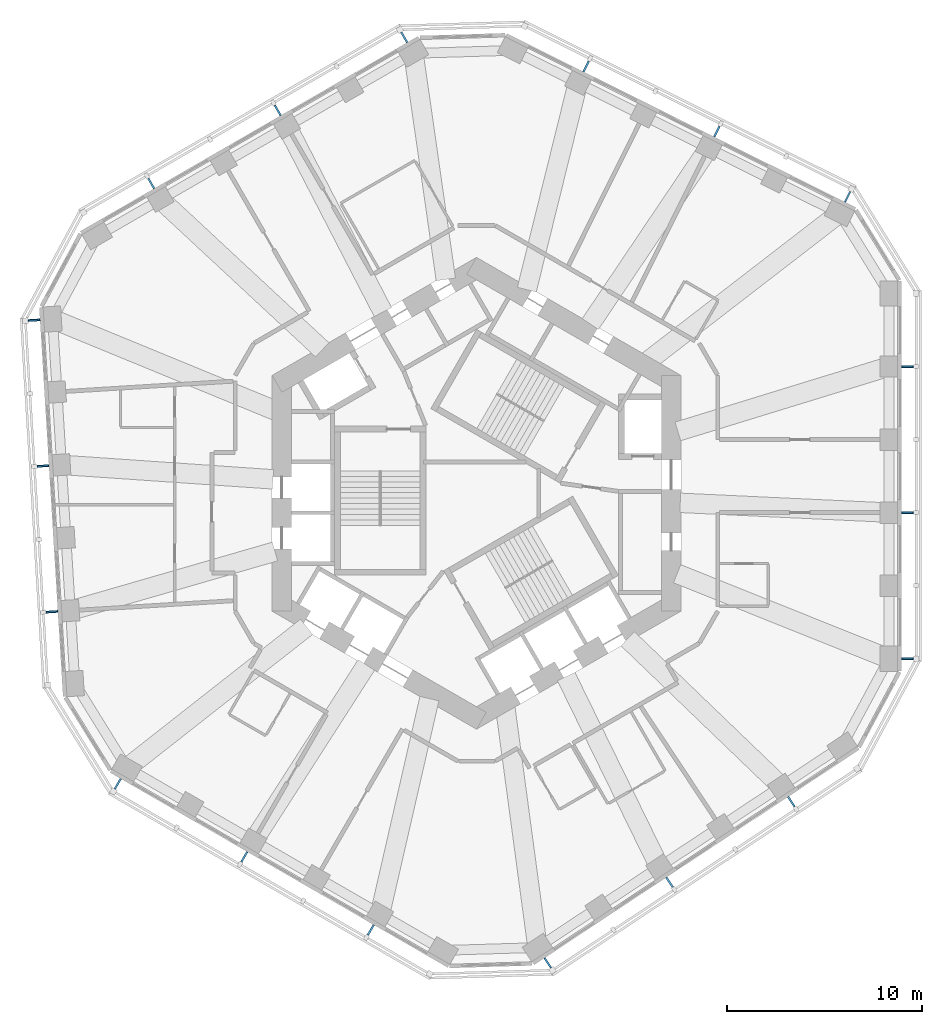
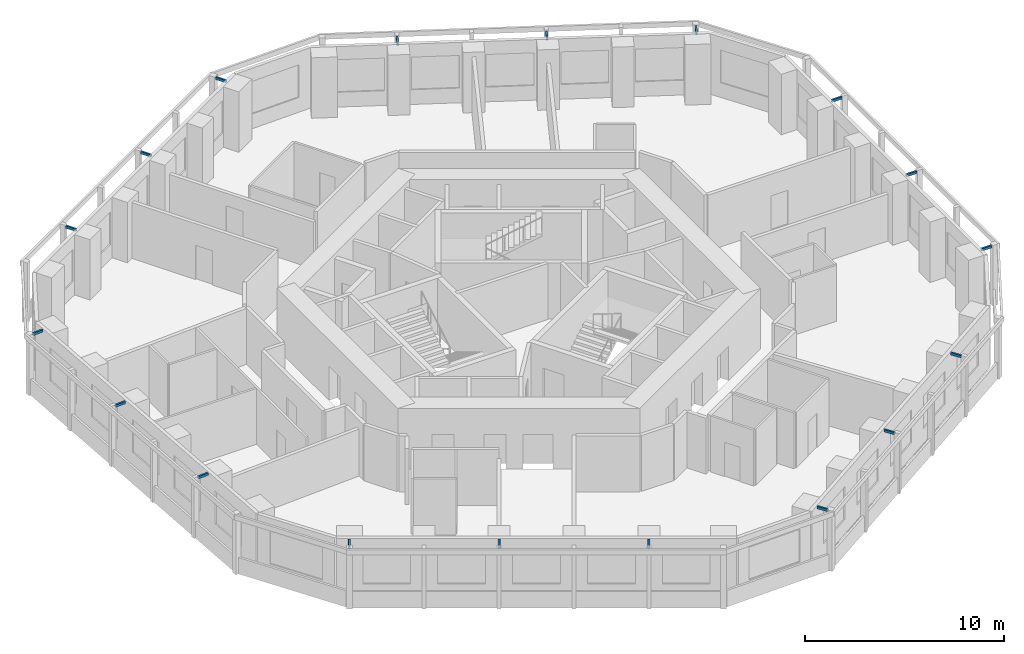
# One storey, part 10 of 11: 18 discrete accessories.
"""IFC4 building model written with IfcOpenShell, lengths in metres."""

from ifc_helpers import new_model, si_unit, direction, frame, origin, origin_2d, place, context, subcontext, project, spatial, rectangle, extrude, material, type_object, element, save


model = new_model("IFC4")

# Units and contexts
model_context = context("Model", 3, precision=1e-05, world=origin(), true_north=direction((0.0, 1.0)))
body_context = subcontext(model_context, "Body", "Model", "MODEL_VIEW")
ifc_project = project(units=[si_unit("LENGTHUNIT", "METRE"), si_unit("AREAUNIT", "SQUARE_METRE"), si_unit("VOLUMEUNIT", "CUBIC_METRE"), si_unit("PLANEANGLEUNIT", "RADIAN"), si_unit("MASSUNIT", "GRAM", prefix="KILO")], contexts=[model_context])

# Site, building, storey
site_placement = place(None, origin())
site = spatial("IfcSite", under=ifc_project, at=site_placement, CompositionType="ELEMENT")
building_placement = place(site_placement, origin())
building = spatial("IfcBuilding", under=site, at=building_placement, Name="Vanh Sen Convention Tower", CompositionType="ELEMENT")
storey_placement = place(building_placement, frame((0.0, 0.0, 146.60009765625)))
storey = spatial("IfcBuildingStorey", under=building, at=storey_placement, Name="L35", CompositionType="ELEMENT", Elevation=146.60009765625)

# Discrete accessories
ifc_material = material(Name="Steel S355", Category="steel")
discrete_accessory_type = type_object("IfcDiscreteAccessoryType", Name="Fin bracket 100 x 150", PredefinedType="BRACKET", material=ifc_material)
for number, where, z_axis, x_axis, name in (
    (1, (22.14990234375, -8.5009765625, 3.5), (0.0, 0.0, 1.0), (1.0, 0.0, 0.0), "Fin bracket E-1 L35"),
    (2, (22.14990234375, -0.992919921875, 3.5), (0.0, 0.0, 1.0), (1.0, 0.0, 0.0), "Fin bracket E-3 L35"),
    (3, (22.14990234375, 6.515380859375, 3.5), (0.0, 0.0, 1.0), (1.0, 0.0, 0.0), "Fin bracket E-5 L35"),
    (4, (19.073974609375, 15.240478515625, 3.5), (0.0, 0.0, 1.0), (0.44619781311, 0.894934361602, 0.0), "Fin bracket NE-1 L35"),
    (5, (12.3544921875, 18.5908203125, 3.5), (0.0, 0.0, 1.0), (0.44619781311, 0.894934361602, 0.0), "Fin bracket NE-3 L35"),
    (6, (5.635009765625, 21.94091796875, 3.5), (0.0, 0.0, 1.0), (0.44619781311, 0.894934361602, 0.0), "Fin bracket NE-5 L35"),
    (7, (-3.712890625, 23.432861328125, 3.5), (0.0, 0.0, 1.0), (-0.5, 0.866025403784, 0.0), "Fin bracket NW-1 L35"),
    (8, (-10.215087890625, 19.6787109375, 3.5), (0.0, 0.0, 1.0), (-0.5, 0.866025403784, 0.0), "Fin bracket NW-3 L35"),
    (9, (-16.717529296875, 15.9248046875, 3.5), (0.0, 0.0, 1.0), (-0.5, 0.866025403784, 0.0), "Fin bracket NW-5 L35"),
    (10, (-22.735595703125, 8.898193359375, 3.5), (0.0, 0.0, 1.0), (-0.998134798422, -0.061048539535, 0.0), "Fin bracket W-1 L35"),
    (11, (-22.277099609375, 1.40380859375, 3.5), (0.0, 0.0, 1.0), (-0.998134798422, -0.061048539535, 0.0), "Fin bracket W-3 L35"),
    (12, (-21.81884765625, -6.09033203125, 3.5), (0.0, 0.0, 1.0), (-0.998134798422, -0.061048539535, 0.0), "Fin bracket W-5 L35"),
    (13, (-18.43701171875, -14.931884765625, 3.5), (0.0, 0.0, 1.0), (-0.5, -0.866025403784, 0.0), "Fin bracket SW-1 L35"),
    (14, (-11.934814453125, -18.68603515625, 3.5), (0.0, 0.0, 1.0), (-0.5, -0.866025403784, 0.0), "Fin bracket SW-3 L35"),
    (15, (-5.4326171875, -22.440185546875, 3.5), (0.0, 0.0, 1.0), (-0.5, -0.866025403784, 0.0), "Fin bracket SW-5 L35"),
    (16, (3.66162109375, -24.138671875, 3.5), (0.0, 0.0, 1.0), (0.551936985312, -0.833885822067, 0.0), "Fin bracket SE-1 L35"),
    (17, (9.922607421875, -19.99462890625, 3.5), (0.0, 0.0, 1.0), (0.551936985312, -0.833885822067, 0.0), "Fin bracket SE-3 L35"),
    (18, (16.18359375, -15.8505859375, 3.5), (0.0, 0.0, 1.0), (0.551936985312, -0.833885822067, 0.0), "Fin bracket SE-5 L35"),
):
    element("IfcDiscreteAccessory", number, at=place(storey_placement, frame(where, z_axis=z_axis, x_axis=x_axis)), inside=storey, type_object=discrete_accessory_type, Name=name, PredefinedType="BRACKET", context=body_context, shape_type="SweptSolid", body=[
        extrude(rectangle(XDim=0.60009765625, YDim=0.10009765625, at=origin_2d()), origin(), (0.0, 0.0, 1.0), 0.14990234375),
    ])

save(model, "model.ifc")
